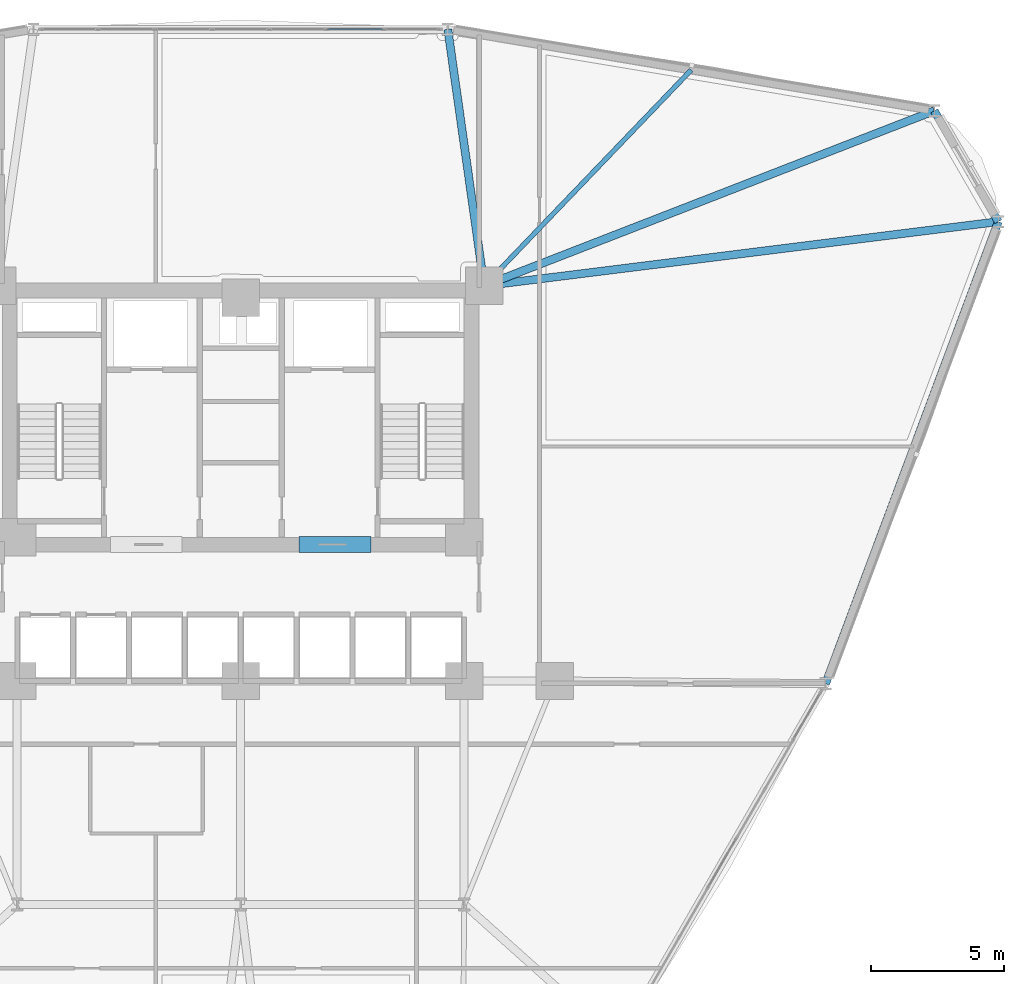
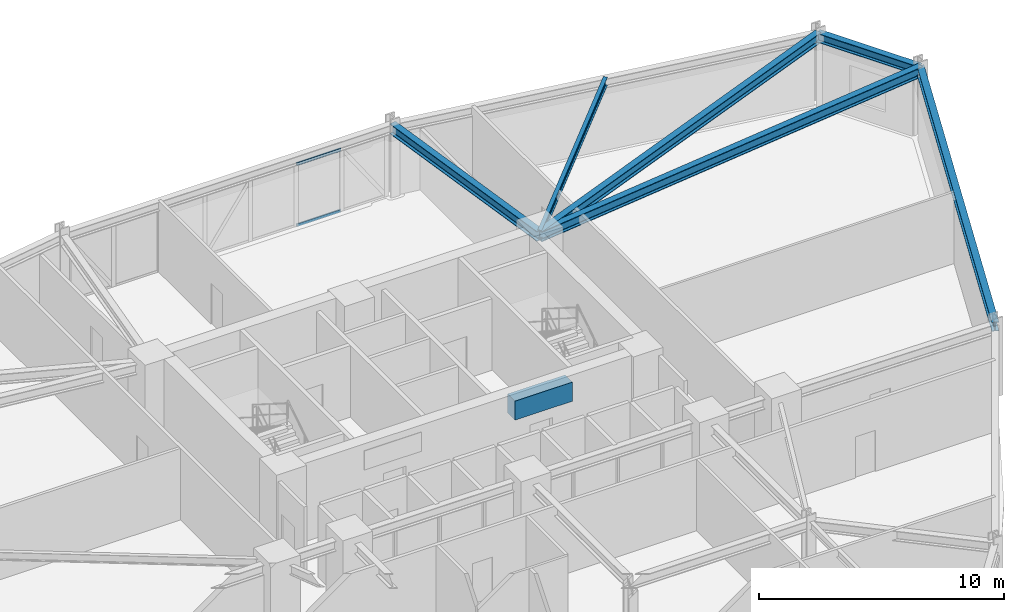
# One storey, part 13 of 22: 7 beams, 2 members, 1 element without a shape of its own.
"""IFC4 building model written with IfcOpenShell, lengths in metres."""

import ifcopenshell
import ifcopenshell.guid

model = None  # the IFC model being written
_history = None  # IfcOwnerHistory: only IFC2X3 demands one
_inside = {}  # id of a spatial element -> (the spatial element, [elements in it])
_under = {}  # id of a project, library or spatial element -> (it, [spatial elements below it])
_declared = {}  # id of a project -> (the project, [libraries it declares])
_typed = {}  # id of a type object -> (the type object, [elements of that type])
_made_of = {}  # id of a material, layer set ... -> (it, [elements and type objects made of it])


def new_model(schema):
    """Start an empty IFC model of exactly this schema.

    Asked for "IFC4X3", IfcOpenShell would pick the latest addendum, in which some entities
    have other attributes; the version numbers below select the first issue.
    IFC2X3 requires an IfcOwnerHistory on every rooted entity: one is made here for all.
    """
    global model, _history
    if schema == "IFC4X3":
        model = ifcopenshell.file(schema_version=(4, 3, 0, 0))
    else:
        model = ifcopenshell.file(schema=schema)
    _inside.clear()
    _under.clear()
    _declared.clear()
    _typed.clear()
    _made_of.clear()
    _history = None
    if model.schema == "IFC2X3":
        org = make("IfcOrganization", Name="unknown")
        user = make(
            "IfcPersonAndOrganization",
            ThePerson=make("IfcPerson", FamilyName="unknown"),
            TheOrganization=org,
        )
        app = make(
            "IfcApplication",
            ApplicationDeveloper=org,
            Version="unknown",
            ApplicationFullName="unknown",
            ApplicationIdentifier="unknown",
        )
        _history = make(
            "IfcOwnerHistory",
            OwningUser=user,
            OwningApplication=app,
            ChangeAction="ADDED",
            CreationDate=0,
        )
    return model


def make(cls, **values):
    """One entity of the class cls with the attributes given. An attribute that is None is left unset."""
    return model.create_entity(
        cls, **{name: value for name, value in values.items() if value is not None}
    )


def rooted(cls, **values):
    """An entity with a GlobalId (a new one), such as an element, a storey or a relation."""
    return make(cls, GlobalId=ifcopenshell.guid.new(), OwnerHistory=_history, **values)


def si_unit(unit_type, name, prefix=None):
    """IfcSIUnit, for example si_unit("LENGTHUNIT", "METRE", prefix="MILLI")."""
    return make("IfcSIUnit", UnitType=unit_type, Prefix=prefix, Name=name)


def derived_unit(unit_type, elements):
    """IfcDerivedUnit: a product of units, each with its exponent."""
    return make(
        "IfcDerivedUnit",
        Elements=[
            make("IfcDerivedUnitElement", Unit=unit, Exponent=power)
            for unit, power in elements
        ],
        UnitType=unit_type,
    )


def assignment(units):
    """IfcUnitAssignment: the units of a project."""
    return None if units is None else make("IfcUnitAssignment", Units=units)


def point(xyz):
    """IfcCartesianPoint."""
    return None if xyz is None else make("IfcCartesianPoint", Coordinates=xyz)


def direction(xyz):
    """IfcDirection."""
    return None if xyz is None else make("IfcDirection", DirectionRatios=xyz)


def frame(location, z_axis=None, x_axis=None):
    """IfcAxis2Placement3D, a coordinate frame: its origin and axes. An axis left out is left unset."""
    return make(
        "IfcAxis2Placement3D",
        Location=point(location),
        Axis=direction(z_axis),
        RefDirection=direction(x_axis),
    )


def frame_2d(location, x_axis=None):
    """IfcAxis2Placement2D, a coordinate frame in the plane: its origin and x axis."""
    return make(
        "IfcAxis2Placement2D", Location=point(location), RefDirection=direction(x_axis)
    )


def origin():
    """The frame at (0, 0, 0) with its axes left unset."""
    return frame((0.0, 0.0, 0.0))


def origin_2d():
    """The frame at (0, 0) in the plane with its x axis left unset."""
    return frame_2d((0.0, 0.0))


def place(relative_to, where):
    """IfcLocalPlacement: puts the frame where relative to a parent placement (None: the world)."""
    return make(
        "IfcLocalPlacement", PlacementRelTo=relative_to, RelativePlacement=where
    )


def context(
    kind, dimensions, precision=None, world=None, true_north=None, identifier=None
):
    """IfcGeometricRepresentationContext, for example the 3D "Model" context."""
    return make(
        "IfcGeometricRepresentationContext",
        ContextIdentifier=identifier,
        ContextType=kind,
        CoordinateSpaceDimension=dimensions,
        Precision=precision,
        WorldCoordinateSystem=world,
        TrueNorth=true_north,
    )


def subcontext(parent, identifier, kind, view, scale=None):
    """IfcGeometricRepresentationSubContext, for example "Body" below "Model"."""
    return make(
        "IfcGeometricRepresentationSubContext",
        ContextIdentifier=identifier,
        ContextType=kind,
        ParentContext=parent,
        TargetScale=scale,
        TargetView=view,
    )


def project(units=None, contexts=None):
    """IfcProject with its units and contexts."""
    return rooted(
        "IfcProject",
        Name="project",
        RepresentationContexts=contexts,
        UnitsInContext=assignment(units),
    )


def spatial(cls, under=None, at=None, **own):
    """A site, building, storey or space (cls), placed at a placement, below another one or the project."""
    s = rooted(cls, ObjectPlacement=at, **own)
    if under is not None:
        _under.setdefault(under.id(), (under, []))[1].append(s)
    return s


def profile(cls, at=None, kind="AREA", **sizes):
    """A parametric profile (cls). Its sizes go by their IFC names, for example OverallWidth=200.0."""
    return make(cls, ProfileType=kind, Position=at, **sizes)


def rectangle(**sizes):
    """IfcRectangleProfileDef."""
    return profile("IfcRectangleProfileDef", **sizes)


def hollow_rectangle(**sizes):
    """IfcRectangleHollowProfileDef."""
    return profile("IfcRectangleHollowProfileDef", **sizes)


def i_section(**sizes):
    """IfcIShapeProfileDef."""
    return profile("IfcIShapeProfileDef", **sizes)


def extrude(swept, where, along, depth):
    """IfcExtrudedAreaSolid: the profile swept, set in the frame where, extruded along a direction by depth."""
    return make(
        "IfcExtrudedAreaSolid",
        SweptArea=swept,
        Position=where,
        ExtrudedDirection=direction(along),
        Depth=depth,
    )


def shape(context_of_items, identifier, shape_type, items):
    """IfcShapeRepresentation: the items that make up one representation, for example the "Body"."""
    return make(
        "IfcShapeRepresentation",
        ContextOfItems=context_of_items,
        RepresentationIdentifier=identifier,
        RepresentationType=shape_type,
        Items=items,
    )


def source(mapping_origin, context_of_items, identifier, shape_type, items):
    """IfcRepresentationMap: a shape defined once, which mapped items show again and again."""
    return make(
        "IfcRepresentationMap",
        MappingOrigin=mapping_origin,
        MappedRepresentation=shape(context_of_items, identifier, shape_type, items),
    )


def transform(
    local_origin,
    x_axis=None,
    y_axis=None,
    z_axis=None,
    scale=None,
    scale2=None,
    scale3=None,
    uniform=True,
):
    """IfcCartesianTransformationOperator3D, or its non-uniform kind. x_axis, y_axis, z_axis: its Axis1, 2, 3."""
    if uniform:
        return make(
            "IfcCartesianTransformationOperator3D",
            Axis1=direction(x_axis),
            Axis2=direction(y_axis),
            LocalOrigin=point(local_origin),
            Scale=scale,
            Axis3=direction(z_axis),
        )
    return make(
        "IfcCartesianTransformationOperator3DnonUniform",
        Axis1=direction(x_axis),
        Axis2=direction(y_axis),
        LocalOrigin=point(local_origin),
        Scale=scale,
        Axis3=direction(z_axis),
        Scale2=scale2,
        Scale3=scale3,
    )


def mapped(mapping_source, mapping_target):
    """IfcMappedItem: shows the shape of a source again, moved by a transform."""
    return make(
        "IfcMappedItem", MappingSource=mapping_source, MappingTarget=mapping_target
    )


def material(Name=None, Category=None):
    """IfcMaterial."""
    return make("IfcMaterial", Name=Name, Category=Category)


def layer(
    of_material, thickness, ventilated=None, Name=None, Category=None, Priority=None
):
    """IfcMaterialLayer: one layer of a wall or slab, of a material (None: an air gap)."""
    return make(
        "IfcMaterialLayer",
        Material=of_material,
        LayerThickness=thickness,
        IsVentilated=ventilated,
        Name=Name,
        Category=Category,
        Priority=Priority,
    )


def layer_set(layers, Name=None):
    """IfcMaterialLayerSet."""
    return make("IfcMaterialLayerSet", MaterialLayers=layers, LayerSetName=Name)


def material_profile(
    of_material, cross_section, Name=None, Category=None, Priority=None
):
    """IfcMaterialProfile: a cross section and its material."""
    return make(
        "IfcMaterialProfile",
        Name=Name,
        Material=of_material,
        Profile=cross_section,
        Priority=Priority,
        Category=Category,
    )


def profile_set(profiles, Name=None, composite=None):
    """IfcMaterialProfileSet."""
    return make(
        "IfcMaterialProfileSet",
        Name=Name,
        MaterialProfiles=profiles,
        CompositeProfile=composite,
    )


def made_of(thing, what):
    """Note that an element or type object is made of a material, layer set ...; save() writes the relation."""
    if what is not None:
        _made_of.setdefault(what.id(), (what, []))[1].append(thing)
    return thing


def type_object(cls, material=None, **own):
    """A type object (cls), such as IfcWallType, which elements share."""
    return made_of(rooted(cls, **own), material)


def element(
    cls,
    number,
    at=None,
    inside=None,
    cuts=None,
    type_object=None,
    material=None,
    context=None,
    identifier="Body",
    shape_type=None,
    held_by="IfcProductDefinitionShape",
    body=None,
    shapes=None,
    **own,
):
    """One element of the class cls, such as IfcWall. Its Tag is "e" and its number.

    at: its placement. inside: the storey or other place that contains it. cuts: it is an
    opening in that element (IfcRelVoidsElement). A single representation is given by context,
    identifier, shape_type and body (its items); several are given by shapes. held_by: the class
    of the entity that holds the representations. save() writes the other relations.
    """
    e = rooted(cls, Tag="e%d" % number, ObjectPlacement=at, **own)
    if body is not None:
        shapes = [shape(context, identifier, shape_type, body)]
    if shapes is not None:
        e.Representation = make(held_by, Representations=shapes)
    if inside is not None:
        _inside.setdefault(inside.id(), (inside, []))[1].append(e)
    if cuts is not None:
        rooted(
            "IfcRelVoidsElement", RelatingBuildingElement=cuts, RelatedOpeningElement=e
        )
    if type_object is not None:
        _typed.setdefault(type_object.id(), (type_object, []))[1].append(e)
    return made_of(e, material)


def aggregate(whole, parts):
    """IfcRelAggregates: a whole, such as a stair, and the parts it consists of."""
    return rooted("IfcRelAggregates", RelatingObject=whole, RelatedObjects=parts)


def save(model, path):
    """Write the relations noted so far, then the file.

    IfcRelAggregates (storeys below a building ...), IfcRelContainedInSpatialStructure (elements
    in a storey), IfcRelDefinesByType, IfcRelAssociatesMaterial and IfcRelDeclares: one each for
    every whole, place, type object, material and project.
    """
    for whole, parts in _under.values():
        aggregate(whole, parts)
    for where, things in _inside.values():
        rooted(
            "IfcRelContainedInSpatialStructure",
            RelatedElements=things,
            RelatingStructure=where,
        )
    for kind, things in _typed.values():
        rooted("IfcRelDefinesByType", RelatedObjects=things, RelatingType=kind)
    for what, things in _made_of.values():
        rooted("IfcRelAssociatesMaterial", RelatedObjects=things, RelatingMaterial=what)
    for by, libraries in _declared.values():
        rooted("IfcRelDeclares", RelatingContext=by, RelatedDefinitions=libraries)
    model.write(path)


model = new_model("IFC4")

# Units and contexts
model_context = context("Model", 3, precision=1e-05, world=origin(), true_north=direction((0.0, 1.0)))
body_context = subcontext(model_context, "Body", "Model", "MODEL_VIEW")
ifc_project = project(units=[si_unit("LENGTHUNIT", "METRE"), si_unit("AREAUNIT", "SQUARE_METRE"), si_unit("VOLUMEUNIT", "CUBIC_METRE"), si_unit("PLANEANGLEUNIT", "RADIAN"), si_unit("MASSUNIT", "GRAM", prefix="KILO"), derived_unit("THERMALTRANSMITTANCEUNIT", [(si_unit("POWERUNIT", "WATT"), 1), (si_unit("LENGTHUNIT", "METRE"), -2), (si_unit("THERMODYNAMICTEMPERATUREUNIT", "KELVIN"), -1)])], contexts=[model_context])

# Site, building, storey
site_placement = place(None, origin())
site = spatial("IfcSite", under=ifc_project, at=site_placement, CompositionType="ELEMENT")
building_placement = place(site_placement, origin())
building = spatial("IfcBuilding", under=site, at=building_placement, Name="Korsvarv Bourse and Concert Hall", CompositionType="ELEMENT")
storey_placement = place(building_placement, frame((0.0, 0.0, 55.199951171875)))
storey = spatial("IfcBuildingStorey", under=building, at=storey_placement, Name="L13", CompositionType="ELEMENT", Elevation=55.199951171875)

# Beams
ifc_material_1 = material(Name="Concrete C55/67", Category="concrete")
ifc_material_profile_1 = material_profile(ifc_material_1, rectangle(XDim=0.60009765625, YDim=0.949951171875, at=origin_2d()), Name="RC-BM 600x950")
ifc_profile_set_1 = profile_set([ifc_material_profile_1], Name="Concrete C55/67")
beam_type_1 = type_object("IfcBeamType", Name="BM-CPL", PredefinedType="LINTEL", material=ifc_profile_set_1)
shared_shape_1 = source(origin(), body_context, "Body", "SweptSolid", [
    extrude(rectangle(XDim=0.60009765625, YDim=0.949951171875, at=origin_2d()), origin(), (0.0, 0.0, 1.0), 2.699951171875),
])
beam_1_placement = place(storey_placement, frame((38.199951171875, 37.52490234375, 3.0849609375), z_axis=(1.0, 0.0, 0.0), x_axis=(0.0, 1.0, 0.0)))
element("IfcBeam", 1, at=beam_1_placement, inside=storey, type_object=beam_type_1, Name="L13 Core Coupling Beam East", PredefinedType="LINTEL", context=body_context, shape_type="MappedRepresentation", body=[
    mapped(shared_shape_1, transform((0.0, 0.0, 0.0), scale=1.0)),
])
ifc_material_2 = material(Name="Steel S355", Category="steel")
ifc_material_profile_2 = material_profile(ifc_material_2, i_section(OverallWidth=0.300048828125, OverallDepth=0.449951171875, WebThickness=0.013916015625, FlangeThickness=0.02587890625, FilletRadius=0.02099609375, at=origin_2d()), Name="HEB 450")
ifc_profile_set_2 = profile_set([ifc_material_profile_2], Name="Steel S355")
beam_type_2 = type_object("IfcBeamType", Name="BM-HEB450", PredefinedType="SPANDREL", material=ifc_profile_set_2)
shared_shape_2 = source(origin(), body_context, "Body", "SweptSolid", [
    extrude(i_section(OverallWidth=0.300048828125, OverallDepth=0.449951171875, WebThickness=0.013916015625, FlangeThickness=0.02587890625, FilletRadius=0.02099609375, at=origin_2d()), origin(), (0.0, 0.0, 1.0), 4.810791015625),
])
beam_2_placement = place(storey_placement, frame((64.474609375, 49.662353515625, 3.3349609375), z_axis=(-0.500019702373, 0.866014028315, 0.0), x_axis=(-0.866014028315, -0.500019702373, 0.0)))
element("IfcBeam", 2, at=beam_2_placement, inside=storey, type_object=beam_type_2, Name="L13 beam B-08", PredefinedType="SPANDREL", context=body_context, shape_type="MappedRepresentation", body=[
    mapped(shared_shape_2, transform((0.0, 0.0, 0.0), scale=1.0)),
])
shared_shape_3 = source(origin(), body_context, "Body", "SweptSolid", [
    extrude(i_section(OverallWidth=0.300048828125, OverallDepth=0.449951171875, WebThickness=0.013916015625, FlangeThickness=0.02587890625, FilletRadius=0.02099609375, at=origin_2d()), origin(), (0.0, 0.0, 1.0), 18.538818359375),
])
beam_3_placement = place(storey_placement, frame((57.983154296875, 32.297119140625, 3.3349609375), z_axis=(0.35015342957, 0.936692359188, 0.0), x_axis=(-0.936692359188, 0.35015342957, 0.0)))
element("IfcBeam", 3, at=beam_3_placement, inside=storey, type_object=beam_type_2, Name="L13 beam B-08", PredefinedType="SPANDREL", context=body_context, shape_type="MappedRepresentation", body=[
    mapped(shared_shape_3, transform((0.0, 0.0, 0.0), scale=1.0)),
])
ifc_material_profile_3 = material_profile(ifc_material_2, i_section(OverallWidth=0.300048828125, OverallDepth=0.5, WebThickness=0.014404296875, FlangeThickness=0.028076171875, FilletRadius=0.02392578125, at=origin_2d()), Name="HEB 500")
ifc_profile_set_3 = profile_set([ifc_material_profile_3], Name="Steel S355")
beam_type_3 = type_object("IfcBeamType", Name="BM-HEB500", PredefinedType="BEAM", material=ifc_profile_set_3)
shared_shape_4 = source(origin(), body_context, "Body", "SweptSolid", [
    extrude(i_section(OverallWidth=0.300048828125, OverallDepth=0.5, WebThickness=0.014404296875, FlangeThickness=0.028076171875, FilletRadius=0.02392578125, at=origin_2d()), origin(), (0.0, 0.0, 1.0), 19.474609375),
])
beam_4_placement = place(storey_placement, frame((64.474609375, 49.662353515625, 3.31005859375), z_axis=(-0.992298307048, -0.123871182403, 0.0), x_axis=(0.123871182403, -0.992298307048, 0.0)))
element("IfcBeam", 4, at=beam_4_placement, inside=storey, type_object=beam_type_3, Name="L13 beam B-07", PredefinedType="BEAM", context=body_context, shape_type="MappedRepresentation", body=[
    mapped(shared_shape_4, transform((0.0, 0.0, 0.0), scale=1.0)),
])
shared_shape_5 = source(origin(), body_context, "Body", "SweptSolid", [
    extrude(i_section(OverallWidth=0.300048828125, OverallDepth=0.5, WebThickness=0.014404296875, FlangeThickness=0.028076171875, FilletRadius=0.02392578125, at=origin_2d()), origin(), (0.0, 0.0, 1.0), 18.153076171875),
])
beam_5_placement = place(storey_placement, frame((62.069091796875, 53.82861328125, 3.31005859375), z_axis=(-0.932024609168, -0.362394988797, 0.0), x_axis=(0.362394988797, -0.932024609168, 0.0)))
element("IfcBeam", 5, at=beam_5_placement, inside=storey, type_object=beam_type_3, Name="L13 beam B-07", PredefinedType="BEAM", context=body_context, shape_type="MappedRepresentation", body=[
    mapped(shared_shape_5, transform((0.0, 0.0, 0.0), scale=1.0)),
])
shared_shape_6 = source(origin(), body_context, "Body", "SweptSolid", [
    extrude(i_section(OverallWidth=0.300048828125, OverallDepth=0.5, WebThickness=0.014404296875, FlangeThickness=0.028076171875, FilletRadius=0.02392578125, at=origin_2d()), origin(), (0.0, 0.0, 1.0), 9.735595703125),
])
beam_6_placement = place(storey_placement, frame((43.78466796875, 56.889404296875, 3.31005859375), z_axis=(0.140231095274, -0.990118800911, 0.0), x_axis=(0.990118800911, 0.140231095274, 0.0)))
element("IfcBeam", 6, at=beam_6_placement, inside=storey, type_object=beam_type_3, Name="L13 beam B-07", PredefinedType="BEAM", context=body_context, shape_type="MappedRepresentation", body=[
    mapped(shared_shape_6, transform((0.0, 0.0, 0.0), scale=1.0)),
])
ifc_material_profile_4 = material_profile(ifc_material_2, i_section(OverallWidth=0.179931640625, OverallDepth=0.39990234375, WebThickness=0.008544921875, FlangeThickness=0.013427734375, FilletRadius=0.02099609375, at=origin_2d()), Name="IPE 400")
ifc_profile_set_4 = profile_set([ifc_material_profile_4], Name="Steel S355")
beam_type_4 = type_object("IfcBeamType", Name="BM-IPE400", PredefinedType="JOIST", material=ifc_profile_set_4)
shared_shape_7 = source(origin(), body_context, "Body", "SweptSolid", [
    extrude(i_section(OverallWidth=0.179931640625, OverallDepth=0.39990234375, WebThickness=0.008544921875, FlangeThickness=0.013427734375, FilletRadius=0.02099609375, at=origin_2d()), origin(), (0.0, 0.0, 1.0), 11.235595703125),
])
beam_7_placement = place(storey_placement, frame((52.927001953125, 55.35888671875, 3.360107421875), z_axis=(-0.692187535913, -0.721717683812, 0.0), x_axis=(0.721717683812, -0.692187535913, 0.0)))
element("IfcBeam", 7, at=beam_7_placement, inside=storey, type_object=beam_type_4, Name="L13 beam J-05", PredefinedType="JOIST", context=body_context, shape_type="MappedRepresentation", body=[
    mapped(shared_shape_7, transform((0.0, 0.0, 0.0), scale=1.0)),
])

# Curtain wall, members
ifc_material_3 = material(Name="Anodised aluminium and triple low-E glazing", Category="glass")
ifc_layer = layer(ifc_material_3, 0.219970703125)
ifc_layer_set = layer_set([ifc_layer], Name="Anodised aluminium and triple low-E glazing")
curtain_wall_type = type_object("IfcCurtainWallType", Name="CW-SYS-1", PredefinedType="NOTDEFINED", material=ifc_layer_set)
curtain_wall_placement = place(storey_placement, origin())
curtain_wall = element("IfcCurtainWall", 8, at=curtain_wall_placement, inside=storey, type_object=curtain_wall_type, Name="L13 CW1 curtain wall CW-L13-F03", PredefinedType="NOTDEFINED")
ifc_material_4 = material(Name="Extruded aluminium EN AW-6063 T66", Category="aluminium")
ifc_material_profile_5 = material_profile(ifc_material_4, hollow_rectangle(XDim=0.06494140625, YDim=0.139892578125, WallThickness=0.00390625, at=origin_2d()), Name="ALU-T 65x140")
ifc_profile_set_5 = profile_set([ifc_material_profile_5], Name="Extruded aluminium EN AW-6063 T66")
member_type = type_object("IfcMemberType", Name="CWT-140", PredefinedType="USERDEFINED", material=ifc_profile_set_5)
shared_shape_8 = source(origin(), body_context, "Body", "SweptSolid", [
    extrude(hollow_rectangle(XDim=0.06494140625, YDim=0.139892578125, WallThickness=0.00390625, at=origin_2d()), origin(), (0.0, 0.0, 1.0), 2.079345703125),
])
member_1_placement = place(storey_placement, frame((41.33837890625, 56.889404296875, 0.032470703125), z_axis=(-1.0, 0.0, 0.0), x_axis=(0.0, -1.0, 0.0)))
member_1 = element("IfcMember", 9, at=member_1_placement, type_object=member_type, Name="CW1 transom 2.1", ObjectType="TRANSOM", PredefinedType="USERDEFINED", context=body_context, shape_type="MappedRepresentation", body=[
    mapped(shared_shape_8, transform((0.0, 0.0, 0.0), scale=1.0)),
])
member_2_placement = place(storey_placement, frame((41.33837890625, 56.889404296875, 3.07763671875), z_axis=(-1.0, 0.0, 0.0), x_axis=(0.0, -1.0, 0.0)))
member_2 = element("IfcMember", 10, at=member_2_placement, type_object=member_type, Name="CW1 transom 2.2", ObjectType="TRANSOM", PredefinedType="USERDEFINED", context=body_context, shape_type="MappedRepresentation", body=[
    mapped(shared_shape_8, transform((0.0, 0.0, 0.0), scale=1.0)),
])
aggregate(curtain_wall, [member_1, member_2])

save(model, "model.ifc")
